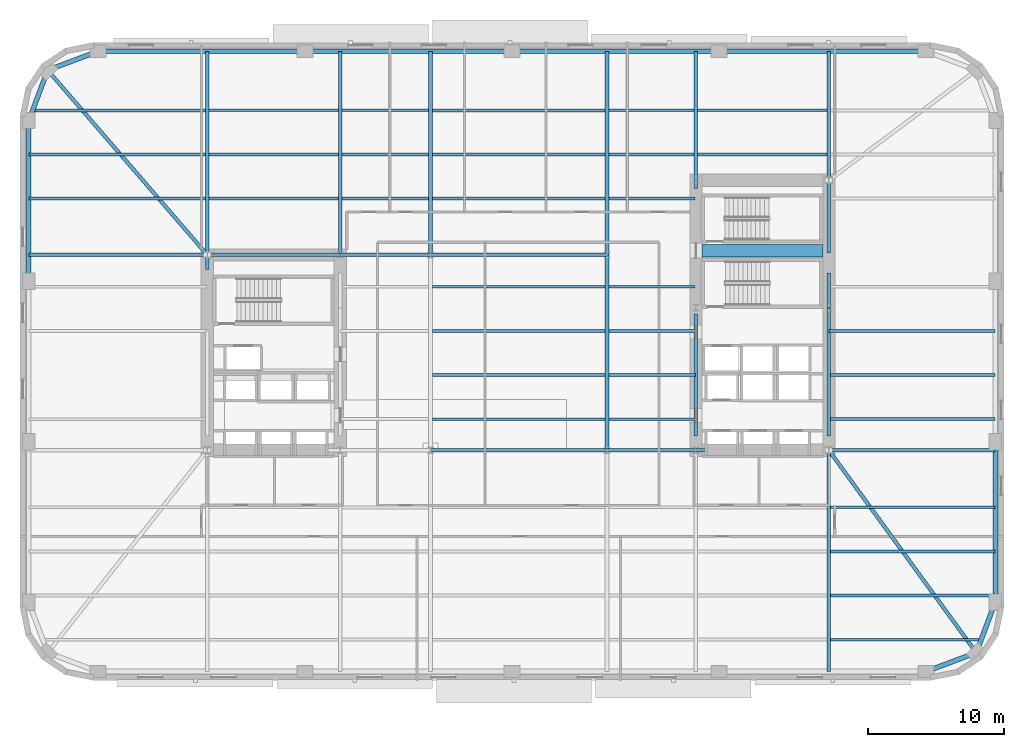
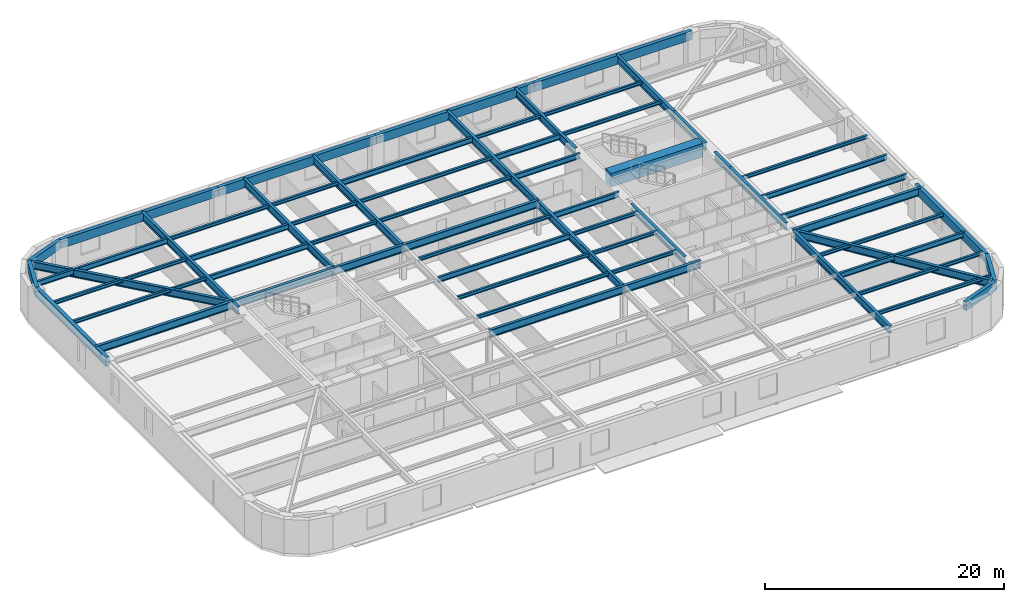
# One storey, part 2 of 14: 64 beams.
"""IFC4 building model written with IfcOpenShell, lengths in metres."""

from ifc_helpers import new_model, si_unit, direction, frame, origin, origin_2d, place, context, subcontext, project, spatial, rectangle, hollow_rectangle, i_section, extrude, material, material_profile, profile_set, type_object, element, save


model = new_model("IFC4")

# Units and contexts
model_context = context("Model", 3, precision=1e-05, world=origin(), true_north=direction((0.0, 1.0)))
body_context = subcontext(model_context, "Body", "Model", "MODEL_VIEW")
ifc_project = project(units=[si_unit("LENGTHUNIT", "METRE"), si_unit("AREAUNIT", "SQUARE_METRE"), si_unit("VOLUMEUNIT", "CUBIC_METRE"), si_unit("PLANEANGLEUNIT", "RADIAN"), si_unit("MASSUNIT", "GRAM", prefix="KILO")], contexts=[model_context])

# Site, building, storey
site_placement = place(None, origin())
site = spatial("IfcSite", under=ifc_project, at=site_placement, CompositionType="ELEMENT")
building_placement = place(site_placement, origin())
building = spatial("IfcBuilding", under=site, at=building_placement, Name="Kolvaren Arena Tower", CompositionType="ELEMENT")
storey_placement = place(building_placement, frame((0.0, 0.0, 53.25)))
storey = spatial("IfcBuildingStorey", under=building, at=storey_placement, Name="L10", CompositionType="ELEMENT", Elevation=53.25)

# Beams
ifc_material_1 = material(Name="Steel CSA G40.21 350W", Category="steel")
ifc_material_profile_1 = material_profile(ifc_material_1, i_section(OverallWidth=0.2119140625, OverallDepth=0.54296875, WebThickness=0.01318359375, FlangeThickness=0.0244140625, FilletRadius=0.013916015625, at=origin_2d()), Name="W530x150")
ifc_profile_set_1 = profile_set([ifc_material_profile_1], Name="Steel CSA G40.21 350W")
beam_type_1 = type_object("IfcBeamType", Name="BEAM-F1", PredefinedType="BEAM", material=ifc_profile_set_1)
beam_1_placement = place(storey_placement, frame((60.485107421875, 12.0, 3.20849609375), z_axis=(1.0, 0.0, 0.0), x_axis=(0.0, 1.0, 0.0)))
element("IfcBeam", 1, at=beam_1_placement, inside=storey, type_object=beam_type_1, Name="Composite Floor Beam (L10)", PredefinedType="BEAM", context=body_context, shape_type="SweptSolid", body=[
    extrude(i_section(OverallWidth=0.2119140625, OverallDepth=0.54296875, WebThickness=0.01318359375, FlangeThickness=0.0244140625, FilletRadius=0.013916015625, at=origin_2d()), origin(), (0.0, 0.0, 1.0), 12.114990234375),
])
for number, where, z_axis, x_axis, name in (
    (2, (60.3701171875, 21.75, 3.20849609375), (1.0, 0.0, 0.0), (0.0, 1.0, 0.0), "Composite Floor Beam (L10)"),
    (3, (60.3701171875, 25.0, 3.20849609375), (1.0, 0.0, 0.0), (0.0, 1.0, 0.0), "Composite Floor Beam (L10)"),
):
    element("IfcBeam", number, at=place(storey_placement, frame(where, z_axis=z_axis, x_axis=x_axis)), inside=storey, type_object=beam_type_1, Name=name, PredefinedType="BEAM", context=body_context, shape_type="SweptSolid", body=[
        extrude(i_section(OverallWidth=0.2119140625, OverallDepth=0.54296875, WebThickness=0.01318359375, FlangeThickness=0.0244140625, FilletRadius=0.013916015625, at=origin_2d()), origin(), (0.0, 0.0, 1.0), 12.22998046875),
    ])
beam_2_placement = place(storey_placement, frame((31.135009765625, 28.25, 3.20849609375), z_axis=(1.0, 0.0, 0.0), x_axis=(0.0, 1.0, 0.0)))
element("IfcBeam", 4, at=beam_2_placement, inside=storey, type_object=beam_type_1, Name="Composite Floor Beam (L10)", PredefinedType="BEAM", context=body_context, shape_type="SweptSolid", body=[
    extrude(i_section(OverallWidth=0.2119140625, OverallDepth=0.54296875, WebThickness=0.01318359375, FlangeThickness=0.0244140625, FilletRadius=0.013916015625, at=origin_2d()), origin(), (0.0, 0.0, 1.0), 12.72998046875),
])
beam_3_placement = place(storey_placement, frame((44.135009765625, 31.5, 3.20849609375), z_axis=(1.0, 0.0, 0.0), x_axis=(0.0, 1.0, 0.0)))
element("IfcBeam", 5, at=beam_3_placement, inside=storey, type_object=beam_type_1, Name="Composite Floor Beam (L10)", PredefinedType="BEAM", context=body_context, shape_type="SweptSolid", body=[
    extrude(i_section(OverallWidth=0.2119140625, OverallDepth=0.54296875, WebThickness=0.01318359375, FlangeThickness=0.0244140625, FilletRadius=0.013916015625, at=origin_2d()), origin(), (0.0, 0.0, 1.0), 6.344970703125),
])
beam_4_placement = place(storey_placement, frame((14.68505859375, 38.0, 3.20849609375), z_axis=(1.0, 0.0, 0.0), x_axis=(0.0, 1.0, 0.0)))
element("IfcBeam", 6, at=beam_4_placement, inside=storey, type_object=beam_type_1, Name="Composite Floor Beam (L10)", PredefinedType="BEAM", context=body_context, shape_type="SweptSolid", body=[
    extrude(i_section(OverallWidth=0.2119140625, OverallDepth=0.54296875, WebThickness=0.01318359375, FlangeThickness=0.0244140625, FilletRadius=0.013916015625, at=origin_2d()), origin(), (0.0, 0.0, 1.0), 9.530029296875),
])
beam_5_placement = place(storey_placement, frame((44.135009765625, 38.0, 3.20849609375), z_axis=(1.0, 0.0, 0.0), x_axis=(0.0, 1.0, 0.0)))
element("IfcBeam", 7, at=beam_5_placement, inside=storey, type_object=beam_type_1, Name="Composite Floor Beam (L10)", PredefinedType="BEAM", context=body_context, shape_type="SweptSolid", body=[
    extrude(i_section(OverallWidth=0.2119140625, OverallDepth=0.54296875, WebThickness=0.01318359375, FlangeThickness=0.0244140625, FilletRadius=0.013916015625, at=origin_2d()), origin(), (0.0, 0.0, 1.0), 6.344970703125),
])
beam_6_placement = place(storey_placement, frame((14.68505859375, 41.25, 3.20849609375), z_axis=(1.0, 0.0, 0.0), x_axis=(0.0, 1.0, 0.0)))
element("IfcBeam", 8, at=beam_6_placement, inside=storey, type_object=beam_type_1, Name="Composite Floor Beam (L10)", PredefinedType="BEAM", context=body_context, shape_type="SweptSolid", body=[
    extrude(i_section(OverallWidth=0.2119140625, OverallDepth=0.54296875, WebThickness=0.01318359375, FlangeThickness=0.0244140625, FilletRadius=0.013916015625, at=origin_2d()), origin(), (0.0, 0.0, 1.0), 9.530029296875),
])
beam_7_placement = place(storey_placement, frame((44.135009765625, 41.25, 3.20849609375), z_axis=(1.0, 0.0, 0.0), x_axis=(0.0, 1.0, 0.0)))
element("IfcBeam", 9, at=beam_7_placement, inside=storey, type_object=beam_type_1, Name="Composite Floor Beam (L10)", PredefinedType="BEAM", context=body_context, shape_type="SweptSolid", body=[
    extrude(i_section(OverallWidth=0.2119140625, OverallDepth=0.54296875, WebThickness=0.01318359375, FlangeThickness=0.0244140625, FilletRadius=0.013916015625, at=origin_2d()), origin(), (0.0, 0.0, 1.0), 6.280029296875),
])
beam_8_placement = place(storey_placement, frame((1.681396484375, 44.5, 3.20849609375), z_axis=(1.0, 0.0, 0.0), x_axis=(0.0, 1.0, 0.0)))
element("IfcBeam", 10, at=beam_8_placement, inside=storey, type_object=beam_type_1, Name="Composite Floor Beam (L10)", PredefinedType="BEAM", context=body_context, shape_type="SweptSolid", body=[
    extrude(i_section(OverallWidth=0.2119140625, OverallDepth=0.54296875, WebThickness=0.01318359375, FlangeThickness=0.0244140625, FilletRadius=0.013916015625, at=origin_2d()), origin(), (0.0, 0.0, 1.0), 12.733642578125),
])
beam_9_placement = place(storey_placement, frame((31.135009765625, 44.5, 3.20849609375), z_axis=(1.0, 0.0, 0.0), x_axis=(0.0, 1.0, 0.0)))
element("IfcBeam", 11, at=beam_9_placement, inside=storey, type_object=beam_type_1, Name="Composite Floor Beam (L10)", PredefinedType="BEAM", context=body_context, shape_type="SweptSolid", body=[
    extrude(i_section(OverallWidth=0.2119140625, OverallDepth=0.54296875, WebThickness=0.01318359375, FlangeThickness=0.0244140625, FilletRadius=0.013916015625, at=origin_2d()), origin(), (0.0, 0.0, 1.0), 12.72998046875),
])
ifc_material_2 = material(Name="Concrete 75 MPa", Category="concrete")
ifc_material_profile_2 = material_profile(ifc_material_2, rectangle(XDim=0.89990234375, YDim=1.39990234375, at=origin_2d()), Name="RC-900x1400")
ifc_profile_set_2 = profile_set([ifc_material_profile_2], Name="Concrete 75 MPa")
beam_type_2 = type_object("IfcBeamType", Name="CB-CORE-1", PredefinedType="BEAM", material=ifc_profile_set_2)
beam_10_placement = place(storey_placement, frame((51.0, 34.14990234375, 3.050048828125), z_axis=(1.0, 0.0, 0.0), x_axis=(0.0, 1.0, 0.0)))
element("IfcBeam", 12, at=beam_10_placement, inside=storey, type_object=beam_type_2, Name="East Core Coupling Beam (L10)", PredefinedType="BEAM", context=body_context, shape_type="SweptSolid", body=[
    extrude(rectangle(XDim=0.89990234375, YDim=1.39990234375, at=origin_2d()), origin(), (0.0, 0.0, 1.0), 8.89990234375),
])
ifc_material_profile_3 = material_profile(ifc_material_1, i_section(OverallWidth=0.27001953125, OverallDepth=0.77294921875, WebThickness=0.019287109375, FlangeThickness=0.033447265625, FilletRadius=0.01806640625, at=origin_2d()), Name="W760x257")
ifc_profile_set_3 = profile_set([ifc_material_profile_3], Name="Steel CSA G40.21 350W")
beam_type_3 = type_object("IfcBeamType", Name="GIRD-T1", PredefinedType="BEAM", material=ifc_profile_set_3)
beam_11_placement = place(storey_placement, frame((71.208740234375, 4.541259765625, 3.093505859375), z_axis=(-0.588737448901, 0.80832432616, 0.0), x_axis=(-0.80832432616, -0.588737448901, 0.0)))
element("IfcBeam", 13, at=beam_11_placement, inside=storey, type_object=beam_type_3, Name="Corner Diagonal Tie Girder (L10)", PredefinedType="BEAM", context=body_context, shape_type="SweptSolid", body=[
    extrude(i_section(OverallWidth=0.27001953125, OverallDepth=0.77294921875, WebThickness=0.019287109375, FlangeThickness=0.033447265625, FilletRadius=0.01806640625, at=origin_2d()), origin(), (0.0, 0.0, 1.0), 18.44384765625),
])
beam_12_placement = place(storey_placement, frame((2.791259765625, 47.458740234375, 3.093505859375), z_axis=(0.653806810332, -0.756661519283, 0.0), x_axis=(0.756661519283, 0.653806810332, 0.0)))
element("IfcBeam", 14, at=beam_12_placement, inside=storey, type_object=beam_type_3, Name="Corner Diagonal Tie Girder (L10)", PredefinedType="BEAM", context=body_context, shape_type="SweptSolid", body=[
    extrude(i_section(OverallWidth=0.27001953125, OverallDepth=0.77294921875, WebThickness=0.019287109375, FlangeThickness=0.033447265625, FilletRadius=0.01806640625, at=origin_2d()), origin(), (0.0, 0.0, 1.0), 17.985107421875),
])
beam_13_placement = place(storey_placement, frame((31.0, 19.449951171875, 3.093505859375), z_axis=(1.0, 0.0, 0.0), x_axis=(0.0, 1.0, 0.0)))
element("IfcBeam", 15, at=beam_13_placement, inside=storey, type_object=beam_type_3, Name="Primary Floor Girder (L10)", PredefinedType="BEAM", context=body_context, shape_type="SweptSolid", body=[
    extrude(i_section(OverallWidth=0.27001953125, OverallDepth=0.77294921875, WebThickness=0.019287109375, FlangeThickness=0.033447265625, FilletRadius=0.01806640625, at=origin_2d()), origin(), (0.0, 0.0, 1.0), 13.0),
])
beam_14_placement = place(storey_placement, frame((44.0, 19.449951171875, 3.093505859375), z_axis=(1.0, 0.0, 0.0), x_axis=(0.0, 1.0, 0.0)))
element("IfcBeam", 16, at=beam_14_placement, inside=storey, type_object=beam_type_3, Name="Primary Floor Girder (L10)", PredefinedType="BEAM", context=body_context, shape_type="SweptSolid", body=[
    extrude(i_section(OverallWidth=0.27001953125, OverallDepth=0.77294921875, WebThickness=0.019287109375, FlangeThickness=0.033447265625, FilletRadius=0.01806640625, at=origin_2d()), origin(), (0.0, 0.0, 1.0), 7.4150390625),
])
beam_15_placement = place(storey_placement, frame((60.35009765625, 19.449951171875, 3.093505859375), z_axis=(1.0, 0.0, 0.0), x_axis=(0.0, 1.0, 0.0)))
element("IfcBeam", 17, at=beam_15_placement, inside=storey, type_object=beam_type_3, Name="Primary Floor Girder (L10)", PredefinedType="BEAM", context=body_context, shape_type="SweptSolid", body=[
    extrude(i_section(OverallWidth=0.27001953125, OverallDepth=0.77294921875, WebThickness=0.019287109375, FlangeThickness=0.033447265625, FilletRadius=0.01806640625, at=origin_2d()), origin(), (0.0, 0.0, 1.0), 12.25),
])
beam_16_placement = place(storey_placement, frame((1.39990234375, 33.85009765625, 3.093505859375), z_axis=(1.0, 0.0, 0.0), x_axis=(0.0, 1.0, 0.0)))
element("IfcBeam", 18, at=beam_16_placement, inside=storey, type_object=beam_type_3, Name="Primary Floor Girder (L10)", PredefinedType="BEAM", context=body_context, shape_type="SweptSolid", body=[
    extrude(i_section(OverallWidth=0.27001953125, OverallDepth=0.77294921875, WebThickness=0.019287109375, FlangeThickness=0.033447265625, FilletRadius=0.01806640625, at=origin_2d()), origin(), (0.0, 0.0, 1.0), 13.150146484375),
])
beam_17_placement = place(storey_placement, frame((14.550048828125, 33.85009765625, 3.093505859375), z_axis=(1.0, 0.0, 0.0), x_axis=(0.0, 1.0, 0.0)))
element("IfcBeam", 19, at=beam_17_placement, inside=storey, type_object=beam_type_3, Name="Primary Floor Girder (L10)", PredefinedType="BEAM", context=body_context, shape_type="SweptSolid", body=[
    extrude(i_section(OverallWidth=0.27001953125, OverallDepth=0.77294921875, WebThickness=0.019287109375, FlangeThickness=0.033447265625, FilletRadius=0.01806640625, at=origin_2d()), origin(), (0.0, 0.0, 1.0), 9.800048828125),
])
beam_18_placement = place(storey_placement, frame((24.35009765625, 33.85009765625, 3.093505859375), z_axis=(1.0, 0.0, 0.0), x_axis=(0.0, 1.0, 0.0)))
element("IfcBeam", 20, at=beam_18_placement, inside=storey, type_object=beam_type_3, Name="Primary Floor Girder (L10)", PredefinedType="BEAM", context=body_context, shape_type="SweptSolid", body=[
    extrude(i_section(OverallWidth=0.27001953125, OverallDepth=0.77294921875, WebThickness=0.019287109375, FlangeThickness=0.033447265625, FilletRadius=0.01806640625, at=origin_2d()), origin(), (0.0, 0.0, 1.0), 6.64990234375),
])
beam_19_placement = place(storey_placement, frame((31.0, 33.85009765625, 3.093505859375), z_axis=(1.0, 0.0, 0.0), x_axis=(0.0, 1.0, 0.0)))
element("IfcBeam", 21, at=beam_19_placement, inside=storey, type_object=beam_type_3, Name="Primary Floor Girder (L10)", PredefinedType="BEAM", context=body_context, shape_type="SweptSolid", body=[
    extrude(i_section(OverallWidth=0.27001953125, OverallDepth=0.77294921875, WebThickness=0.019287109375, FlangeThickness=0.033447265625, FilletRadius=0.01806640625, at=origin_2d()), origin(), (0.0, 0.0, 1.0), 13.0),
])
beam_20_placement = place(storey_placement, frame((14.550048828125, 32.7900390625, 3.093505859375), z_axis=(0.0, 1.0, 0.0), x_axis=(-1.0, 0.0, 0.0)))
element("IfcBeam", 22, at=beam_20_placement, inside=storey, type_object=beam_type_3, Name="Primary Floor Girder (L10)", PredefinedType="BEAM", context=body_context, shape_type="SweptSolid", body=[
    extrude(i_section(OverallWidth=0.27001953125, OverallDepth=0.77294921875, WebThickness=0.019287109375, FlangeThickness=0.033447265625, FilletRadius=0.01806640625, at=origin_2d()), origin(), (0.0, 0.0, 1.0), 16.06005859375),
])
for number, where, z_axis, x_axis, name in (
    (23, (24.35009765625, 33.85009765625, 3.093505859375), (0.0, 1.0, 0.0), (-1.0, 0.0, 0.0), "Primary Floor Girder (L10)"),
    (24, (31.0, 33.85009765625, 3.093505859375), (0.0, 1.0, 0.0), (-1.0, 0.0, 0.0), "Primary Floor Girder (L10)"),
):
    element("IfcBeam", number, at=place(storey_placement, frame(where, z_axis=z_axis, x_axis=x_axis)), inside=storey, type_object=beam_type_3, Name=name, PredefinedType="BEAM", context=body_context, shape_type="SweptSolid", body=[
        extrude(i_section(OverallWidth=0.27001953125, OverallDepth=0.77294921875, WebThickness=0.019287109375, FlangeThickness=0.033447265625, FilletRadius=0.01806640625, at=origin_2d()), origin(), (0.0, 0.0, 1.0), 15.0),
    ])
beam_21_placement = place(storey_placement, frame((44.0, 19.449951171875, 3.093505859375), z_axis=(0.0, 1.0, 0.0), x_axis=(-1.0, 0.0, 0.0)))
element("IfcBeam", 25, at=beam_21_placement, inside=storey, type_object=beam_type_3, Name="Primary Floor Girder (L10)", PredefinedType="BEAM", context=body_context, shape_type="SweptSolid", body=[
    extrude(i_section(OverallWidth=0.27001953125, OverallDepth=0.77294921875, WebThickness=0.019287109375, FlangeThickness=0.033447265625, FilletRadius=0.01806640625, at=origin_2d()), origin(), (0.0, 0.0, 1.0), 14.400146484375),
])
beam_22_placement = place(storey_placement, frame((44.0, 33.85009765625, 3.093505859375), z_axis=(0.0, 1.0, 0.0), x_axis=(-1.0, 0.0, 0.0)))
element("IfcBeam", 26, at=beam_22_placement, inside=storey, type_object=beam_type_3, Name="Primary Floor Girder (L10)", PredefinedType="BEAM", context=body_context, shape_type="SweptSolid", body=[
    extrude(i_section(OverallWidth=0.27001953125, OverallDepth=0.77294921875, WebThickness=0.019287109375, FlangeThickness=0.033447265625, FilletRadius=0.01806640625, at=origin_2d()), origin(), (0.0, 0.0, 1.0), 15.0),
])
beam_23_placement = place(storey_placement, frame((50.550048828125, 20.5, 3.093505859375), z_axis=(0.0, 1.0, 0.0), x_axis=(-1.0, 0.0, 0.0)))
element("IfcBeam", 27, at=beam_23_placement, inside=storey, type_object=beam_type_3, Name="Primary Floor Girder (L10)", PredefinedType="BEAM", context=body_context, shape_type="SweptSolid", body=[
    extrude(i_section(OverallWidth=0.27001953125, OverallDepth=0.77294921875, WebThickness=0.019287109375, FlangeThickness=0.033447265625, FilletRadius=0.01806640625, at=origin_2d()), origin(), (0.0, 0.0, 1.0), 8.989990234375),
])
beam_24_placement = place(storey_placement, frame((50.550048828125, 38.760009765625, 3.093505859375), z_axis=(0.0, 1.0, 0.0), x_axis=(-1.0, 0.0, 0.0)))
element("IfcBeam", 28, at=beam_24_placement, inside=storey, type_object=beam_type_3, Name="Primary Floor Girder (L10)", PredefinedType="BEAM", context=body_context, shape_type="SweptSolid", body=[
    extrude(i_section(OverallWidth=0.27001953125, OverallDepth=0.77294921875, WebThickness=0.019287109375, FlangeThickness=0.033447265625, FilletRadius=0.01806640625, at=origin_2d()), origin(), (0.0, 0.0, 1.0), 10.090087890625),
])
beam_25_placement = place(storey_placement, frame((60.35009765625, 3.14990234375, 3.093505859375), z_axis=(0.0, 1.0, 0.0), x_axis=(-1.0, 0.0, 0.0)))
element("IfcBeam", 29, at=beam_25_placement, inside=storey, type_object=beam_type_3, Name="Primary Floor Girder (L10)", PredefinedType="BEAM", context=body_context, shape_type="SweptSolid", body=[
    extrude(i_section(OverallWidth=0.27001953125, OverallDepth=0.77294921875, WebThickness=0.019287109375, FlangeThickness=0.033447265625, FilletRadius=0.01806640625, at=origin_2d()), origin(), (0.0, 0.0, 1.0), 16.300048828125),
])
beam_26_placement = place(storey_placement, frame((60.35009765625, 20.5, 3.093505859375), z_axis=(0.0, 1.0, 0.0), x_axis=(-1.0, 0.0, 0.0)))
element("IfcBeam", 30, at=beam_26_placement, inside=storey, type_object=beam_type_3, Name="Primary Floor Girder (L10)", PredefinedType="BEAM", context=body_context, shape_type="SweptSolid", body=[
    extrude(i_section(OverallWidth=0.27001953125, OverallDepth=0.77294921875, WebThickness=0.019287109375, FlangeThickness=0.033447265625, FilletRadius=0.01806640625, at=origin_2d()), origin(), (0.0, 0.0, 1.0), 9.449951171875),
])
beam_27_placement = place(storey_placement, frame((60.35009765625, 29.949951171875, 3.093505859375), z_axis=(0.0, 1.0, 0.0), x_axis=(-1.0, 0.0, 0.0)))
element("IfcBeam", 31, at=beam_27_placement, inside=storey, type_object=beam_type_3, Name="Primary Floor Girder (L10)", PredefinedType="BEAM", context=body_context, shape_type="SweptSolid", body=[
    extrude(i_section(OverallWidth=0.27001953125, OverallDepth=0.77294921875, WebThickness=0.019287109375, FlangeThickness=0.033447265625, FilletRadius=0.01806640625, at=origin_2d()), origin(), (0.0, 0.0, 1.0), 2.550048828125),
])
beam_28_placement = place(storey_placement, frame((60.35009765625, 33.985107421875, 3.093505859375), z_axis=(0.0, 1.0, 0.0), x_axis=(-1.0, 0.0, 0.0)))
element("IfcBeam", 32, at=beam_28_placement, inside=storey, type_object=beam_type_3, Name="Primary Floor Girder (L10)", PredefinedType="BEAM", context=body_context, shape_type="SweptSolid", body=[
    extrude(i_section(OverallWidth=0.27001953125, OverallDepth=0.77294921875, WebThickness=0.019287109375, FlangeThickness=0.033447265625, FilletRadius=0.01806640625, at=origin_2d()), origin(), (0.0, 0.0, 1.0), 5.364990234375),
])
beam_29_placement = place(storey_placement, frame((60.35009765625, 39.35009765625, 3.093505859375), z_axis=(0.0, 1.0, 0.0), x_axis=(-1.0, 0.0, 0.0)))
element("IfcBeam", 33, at=beam_29_placement, inside=storey, type_object=beam_type_3, Name="Primary Floor Girder (L10)", PredefinedType="BEAM", context=body_context, shape_type="SweptSolid", body=[
    extrude(i_section(OverallWidth=0.27001953125, OverallDepth=0.77294921875, WebThickness=0.019287109375, FlangeThickness=0.033447265625, FilletRadius=0.01806640625, at=origin_2d()), origin(), (0.0, 0.0, 1.0), 9.5),
])
ifc_material_profile_4 = material_profile(ifc_material_1, i_section(OverallWidth=0.202880859375, OverallDepth=0.346923828125, WebThickness=0.0078125, FlangeThickness=0.013427734375, FilletRadius=0.010986328125, at=origin_2d()), Name="W360x64")
ifc_profile_set_4 = profile_set([ifc_material_profile_4], Name="Steel CSA G40.21 350W")
beam_type_4 = type_object("IfcBeamType", Name="JOIST-01", PredefinedType="JOIST", material=ifc_profile_set_4)
beam_30_placement = place(storey_placement, frame((60.485107421875, 5.5, 3.306396484375), z_axis=(1.0, 0.0, 0.0), x_axis=(0.0, 1.0, 0.0)))
element("IfcBeam", 34, at=beam_30_placement, inside=storey, type_object=beam_type_4, Name="Composite Floor Joist (L10)", PredefinedType="JOIST", context=body_context, shape_type="SweptSolid", body=[
    extrude(i_section(OverallWidth=0.202880859375, OverallDepth=0.346923828125, WebThickness=0.0078125, FlangeThickness=0.013427734375, FilletRadius=0.010986328125, at=origin_2d()), origin(), (0.0, 0.0, 1.0), 11.08349609375),
])
for number, where, z_axis, x_axis, name in (
    (35, (60.485107421875, 8.75, 3.306396484375), (1.0, 0.0, 0.0), (0.0, 1.0, 0.0), "Composite Floor Joist (L10)"),
    (36, (60.485107421875, 15.25, 3.306396484375), (1.0, 0.0, 0.0), (0.0, 1.0, 0.0), "Composite Floor Joist (L10)"),
):
    element("IfcBeam", number, at=place(storey_placement, frame(where, z_axis=z_axis, x_axis=x_axis)), inside=storey, type_object=beam_type_4, Name=name, PredefinedType="JOIST", context=body_context, shape_type="SweptSolid", body=[
        extrude(i_section(OverallWidth=0.202880859375, OverallDepth=0.346923828125, WebThickness=0.0078125, FlangeThickness=0.013427734375, FilletRadius=0.010986328125, at=origin_2d()), origin(), (0.0, 0.0, 1.0), 12.114990234375),
    ])
beam_31_placement = place(storey_placement, frame((31.135009765625, 21.75, 3.306396484375), z_axis=(1.0, 0.0, 0.0), x_axis=(0.0, 1.0, 0.0)))
element("IfcBeam", 37, at=beam_31_placement, inside=storey, type_object=beam_type_4, Name="Composite Floor Joist (L10)", PredefinedType="JOIST", context=body_context, shape_type="SweptSolid", body=[
    extrude(i_section(OverallWidth=0.202880859375, OverallDepth=0.346923828125, WebThickness=0.0078125, FlangeThickness=0.013427734375, FilletRadius=0.010986328125, at=origin_2d()), origin(), (0.0, 0.0, 1.0), 12.72998046875),
])
beam_32_placement = place(storey_placement, frame((44.135009765625, 21.75, 3.306396484375), z_axis=(1.0, 0.0, 0.0), x_axis=(0.0, 1.0, 0.0)))
element("IfcBeam", 38, at=beam_32_placement, inside=storey, type_object=beam_type_4, Name="Composite Floor Joist (L10)", PredefinedType="JOIST", context=body_context, shape_type="SweptSolid", body=[
    extrude(i_section(OverallWidth=0.202880859375, OverallDepth=0.346923828125, WebThickness=0.0078125, FlangeThickness=0.013427734375, FilletRadius=0.010986328125, at=origin_2d()), origin(), (0.0, 0.0, 1.0), 6.39501953125),
])
beam_33_placement = place(storey_placement, frame((31.135009765625, 25.0, 3.306396484375), z_axis=(1.0, 0.0, 0.0), x_axis=(0.0, 1.0, 0.0)))
element("IfcBeam", 39, at=beam_33_placement, inside=storey, type_object=beam_type_4, Name="Composite Floor Joist (L10)", PredefinedType="JOIST", context=body_context, shape_type="SweptSolid", body=[
    extrude(i_section(OverallWidth=0.202880859375, OverallDepth=0.346923828125, WebThickness=0.0078125, FlangeThickness=0.013427734375, FilletRadius=0.010986328125, at=origin_2d()), origin(), (0.0, 0.0, 1.0), 12.72998046875),
])
for number, where, z_axis, x_axis, name in (
    (40, (44.135009765625, 25.0, 3.306396484375), (1.0, 0.0, 0.0), (0.0, 1.0, 0.0), "Composite Floor Joist (L10)"),
    (41, (44.135009765625, 28.25, 3.306396484375), (1.0, 0.0, 0.0), (0.0, 1.0, 0.0), "Composite Floor Joist (L10)"),
):
    element("IfcBeam", number, at=place(storey_placement, frame(where, z_axis=z_axis, x_axis=x_axis)), inside=storey, type_object=beam_type_4, Name=name, PredefinedType="JOIST", context=body_context, shape_type="SweptSolid", body=[
        extrude(i_section(OverallWidth=0.202880859375, OverallDepth=0.346923828125, WebThickness=0.0078125, FlangeThickness=0.013427734375, FilletRadius=0.010986328125, at=origin_2d()), origin(), (0.0, 0.0, 1.0), 6.39501953125),
    ])
beam_34_placement = place(storey_placement, frame((60.3701171875, 28.25, 3.306396484375), z_axis=(1.0, 0.0, 0.0), x_axis=(0.0, 1.0, 0.0)))
element("IfcBeam", 42, at=beam_34_placement, inside=storey, type_object=beam_type_4, Name="Composite Floor Joist (L10)", PredefinedType="JOIST", context=body_context, shape_type="SweptSolid", body=[
    extrude(i_section(OverallWidth=0.202880859375, OverallDepth=0.346923828125, WebThickness=0.0078125, FlangeThickness=0.013427734375, FilletRadius=0.010986328125, at=origin_2d()), origin(), (0.0, 0.0, 1.0), 12.22998046875),
])
beam_35_placement = place(storey_placement, frame((31.135009765625, 31.5, 3.306396484375), z_axis=(1.0, 0.0, 0.0), x_axis=(0.0, 1.0, 0.0)))
element("IfcBeam", 43, at=beam_35_placement, inside=storey, type_object=beam_type_4, Name="Composite Floor Joist (L10)", PredefinedType="JOIST", context=body_context, shape_type="SweptSolid", body=[
    extrude(i_section(OverallWidth=0.202880859375, OverallDepth=0.346923828125, WebThickness=0.0078125, FlangeThickness=0.013427734375, FilletRadius=0.010986328125, at=origin_2d()), origin(), (0.0, 0.0, 1.0), 12.72998046875),
])
beam_36_placement = place(storey_placement, frame((1.39990234375, 38.0, 3.306396484375), z_axis=(1.0, 0.0, 0.0), x_axis=(0.0, 1.0, 0.0)))
element("IfcBeam", 44, at=beam_36_placement, inside=storey, type_object=beam_type_4, Name="Composite Floor Joist (L10)", PredefinedType="JOIST", context=body_context, shape_type="SweptSolid", body=[
    extrude(i_section(OverallWidth=0.202880859375, OverallDepth=0.346923828125, WebThickness=0.0078125, FlangeThickness=0.013427734375, FilletRadius=0.010986328125, at=origin_2d()), origin(), (0.0, 0.0, 1.0), 13.01513671875),
])
beam_37_placement = place(storey_placement, frame((24.485107421875, 38.0, 3.306396484375), z_axis=(1.0, 0.0, 0.0), x_axis=(0.0, 1.0, 0.0)))
element("IfcBeam", 45, at=beam_37_placement, inside=storey, type_object=beam_type_4, Name="Composite Floor Joist (L10)", PredefinedType="JOIST", context=body_context, shape_type="SweptSolid", body=[
    extrude(i_section(OverallWidth=0.202880859375, OverallDepth=0.346923828125, WebThickness=0.0078125, FlangeThickness=0.013427734375, FilletRadius=0.010986328125, at=origin_2d()), origin(), (0.0, 0.0, 1.0), 6.3798828125),
])
beam_38_placement = place(storey_placement, frame((31.135009765625, 38.0, 3.306396484375), z_axis=(1.0, 0.0, 0.0), x_axis=(0.0, 1.0, 0.0)))
element("IfcBeam", 46, at=beam_38_placement, inside=storey, type_object=beam_type_4, Name="Composite Floor Joist (L10)", PredefinedType="JOIST", context=body_context, shape_type="SweptSolid", body=[
    extrude(i_section(OverallWidth=0.202880859375, OverallDepth=0.346923828125, WebThickness=0.0078125, FlangeThickness=0.013427734375, FilletRadius=0.010986328125, at=origin_2d()), origin(), (0.0, 0.0, 1.0), 12.72998046875),
])
beam_39_placement = place(storey_placement, frame((1.39990234375, 41.25, 3.306396484375), z_axis=(1.0, 0.0, 0.0), x_axis=(0.0, 1.0, 0.0)))
element("IfcBeam", 47, at=beam_39_placement, inside=storey, type_object=beam_type_4, Name="Composite Floor Joist (L10)", PredefinedType="JOIST", context=body_context, shape_type="SweptSolid", body=[
    extrude(i_section(OverallWidth=0.202880859375, OverallDepth=0.346923828125, WebThickness=0.0078125, FlangeThickness=0.013427734375, FilletRadius=0.010986328125, at=origin_2d()), origin(), (0.0, 0.0, 1.0), 13.01513671875),
])
beam_40_placement = place(storey_placement, frame((24.485107421875, 41.25, 3.306396484375), z_axis=(1.0, 0.0, 0.0), x_axis=(0.0, 1.0, 0.0)))
element("IfcBeam", 48, at=beam_40_placement, inside=storey, type_object=beam_type_4, Name="Composite Floor Joist (L10)", PredefinedType="JOIST", context=body_context, shape_type="SweptSolid", body=[
    extrude(i_section(OverallWidth=0.202880859375, OverallDepth=0.346923828125, WebThickness=0.0078125, FlangeThickness=0.013427734375, FilletRadius=0.010986328125, at=origin_2d()), origin(), (0.0, 0.0, 1.0), 6.3798828125),
])
beam_41_placement = place(storey_placement, frame((31.135009765625, 41.25, 3.306396484375), z_axis=(1.0, 0.0, 0.0), x_axis=(0.0, 1.0, 0.0)))
element("IfcBeam", 49, at=beam_41_placement, inside=storey, type_object=beam_type_4, Name="Composite Floor Joist (L10)", PredefinedType="JOIST", context=body_context, shape_type="SweptSolid", body=[
    extrude(i_section(OverallWidth=0.202880859375, OverallDepth=0.346923828125, WebThickness=0.0078125, FlangeThickness=0.013427734375, FilletRadius=0.010986328125, at=origin_2d()), origin(), (0.0, 0.0, 1.0), 12.72998046875),
])
for number, where, z_axis, x_axis, name in (
    (50, (50.68505859375, 41.25, 3.306396484375), (1.0, 0.0, 0.0), (0.0, 1.0, 0.0), "Composite Floor Joist (L10)"),
    (51, (14.68505859375, 44.5, 3.306396484375), (1.0, 0.0, 0.0), (0.0, 1.0, 0.0), "Composite Floor Joist (L10)"),
):
    element("IfcBeam", number, at=place(storey_placement, frame(where, z_axis=z_axis, x_axis=x_axis)), inside=storey, type_object=beam_type_4, Name=name, PredefinedType="JOIST", context=body_context, shape_type="SweptSolid", body=[
        extrude(i_section(OverallWidth=0.202880859375, OverallDepth=0.346923828125, WebThickness=0.0078125, FlangeThickness=0.013427734375, FilletRadius=0.010986328125, at=origin_2d()), origin(), (0.0, 0.0, 1.0), 9.530029296875),
    ])
beam_42_placement = place(storey_placement, frame((24.485107421875, 44.5, 3.306396484375), z_axis=(1.0, 0.0, 0.0), x_axis=(0.0, 1.0, 0.0)))
element("IfcBeam", 52, at=beam_42_placement, inside=storey, type_object=beam_type_4, Name="Composite Floor Joist (L10)", PredefinedType="JOIST", context=body_context, shape_type="SweptSolid", body=[
    extrude(i_section(OverallWidth=0.202880859375, OverallDepth=0.346923828125, WebThickness=0.0078125, FlangeThickness=0.013427734375, FilletRadius=0.010986328125, at=origin_2d()), origin(), (0.0, 0.0, 1.0), 6.3798828125),
])
beam_43_placement = place(storey_placement, frame((44.135009765625, 44.5, 3.306396484375), z_axis=(1.0, 0.0, 0.0), x_axis=(0.0, 1.0, 0.0)))
element("IfcBeam", 53, at=beam_43_placement, inside=storey, type_object=beam_type_4, Name="Composite Floor Joist (L10)", PredefinedType="JOIST", context=body_context, shape_type="SweptSolid", body=[
    extrude(i_section(OverallWidth=0.202880859375, OverallDepth=0.346923828125, WebThickness=0.0078125, FlangeThickness=0.013427734375, FilletRadius=0.010986328125, at=origin_2d()), origin(), (0.0, 0.0, 1.0), 6.280029296875),
])
beam_44_placement = place(storey_placement, frame((50.68505859375, 44.5, 3.306396484375), z_axis=(1.0, 0.0, 0.0), x_axis=(0.0, 1.0, 0.0)))
element("IfcBeam", 54, at=beam_44_placement, inside=storey, type_object=beam_type_4, Name="Composite Floor Joist (L10)", PredefinedType="JOIST", context=body_context, shape_type="SweptSolid", body=[
    extrude(i_section(OverallWidth=0.202880859375, OverallDepth=0.346923828125, WebThickness=0.0078125, FlangeThickness=0.013427734375, FilletRadius=0.010986328125, at=origin_2d()), origin(), (0.0, 0.0, 1.0), 9.530029296875),
])
ifc_material_3 = material(Name="Steel CSA G40.21 350WT", Category="steel")
ifc_material_profile_5 = material_profile(ifc_material_3, hollow_rectangle(XDim=0.35009765625, YDim=0.89990234375, WallThickness=0.02001953125, at=origin_2d()), Name="HSS 900x350x20")
ifc_profile_set_5 = profile_set([ifc_material_profile_5], Name="Steel CSA G40.21 350WT")
beam_type_5 = type_object("IfcBeamType", Name="SPAND-01", PredefinedType="SPANDREL", material=ifc_profile_set_5)
for number, where, z_axis, x_axis, name in (
    (55, (67.5, 3.14990234375, 3.030029296875), (0.93628104365, 0.351251771955, 0.0), (-0.351251771955, 0.93628104365, 0.0), "Perimeter Spandrel Beam (L10)"),
    (56, (71.208740234375, 4.541259765625, 3.030029296875), (0.351251771955, 0.93628104365, 0.0), (-0.93628104365, 0.351251771955, 0.0), "Perimeter Spandrel Beam (L10)"),
):
    element("IfcBeam", number, at=place(storey_placement, frame(where, z_axis=z_axis, x_axis=x_axis)), inside=storey, type_object=beam_type_5, Name=name, PredefinedType="SPANDREL", context=body_context, shape_type="SweptSolid", body=[
        extrude(hollow_rectangle(XDim=0.35009765625, YDim=0.89990234375, WallThickness=0.02001953125, at=origin_2d()), origin(), (0.0, 0.0, 1.0), 3.961181640625),
    ])
beam_45_placement = place(storey_placement, frame((72.60009765625, 8.25, 3.030029296875), z_axis=(0.0, 1.0, 0.0), x_axis=(-1.0, 0.0, 0.0)))
element("IfcBeam", 57, at=beam_45_placement, inside=storey, type_object=beam_type_5, Name="Perimeter Spandrel Beam (L10)", PredefinedType="SPANDREL", context=body_context, shape_type="SweptSolid", body=[
    extrude(hollow_rectangle(XDim=0.35009765625, YDim=0.89990234375, WallThickness=0.02001953125, at=origin_2d()), origin(), (0.0, 0.0, 1.0), 11.833251953125),
])
for number, where, z_axis, x_axis, name in (
    (58, (67.5, 48.85009765625, 3.030029296875), (-1.0, 0.0, 0.0), (0.0, -1.0, 0.0), "Perimeter Spandrel Beam (L10)"),
    (59, (52.25, 48.85009765625, 3.030029296875), (-1.0, 0.0, 0.0), (0.0, -1.0, 0.0), "Perimeter Spandrel Beam (L10)"),
    (60, (37.0, 48.85009765625, 3.030029296875), (-1.0, 0.0, 0.0), (0.0, -1.0, 0.0), "Perimeter Spandrel Beam (L10)"),
    (61, (21.75, 48.85009765625, 3.030029296875), (-1.0, 0.0, 0.0), (0.0, -1.0, 0.0), "Perimeter Spandrel Beam (L10)"),
):
    element("IfcBeam", number, at=place(storey_placement, frame(where, z_axis=z_axis, x_axis=x_axis)), inside=storey, type_object=beam_type_5, Name=name, PredefinedType="SPANDREL", context=body_context, shape_type="SweptSolid", body=[
        extrude(hollow_rectangle(XDim=0.35009765625, YDim=0.89990234375, WallThickness=0.02001953125, at=origin_2d()), origin(), (0.0, 0.0, 1.0), 15.25),
    ])
for number, where, z_axis, x_axis, name in (
    (62, (6.5, 48.85009765625, 3.030029296875), (-0.93628104365, -0.351251771955, 0.0), (0.351251771955, -0.93628104365, 0.0), "Perimeter Spandrel Beam (L10)"),
    (63, (2.791259765625, 47.458740234375, 3.030029296875), (-0.351251771955, -0.93628104365, 0.0), (0.93628104365, -0.351251771955, 0.0), "Perimeter Spandrel Beam (L10)"),
):
    element("IfcBeam", number, at=place(storey_placement, frame(where, z_axis=z_axis, x_axis=x_axis)), inside=storey, type_object=beam_type_5, Name=name, PredefinedType="SPANDREL", context=body_context, shape_type="SweptSolid", body=[
        extrude(hollow_rectangle(XDim=0.35009765625, YDim=0.89990234375, WallThickness=0.02001953125, at=origin_2d()), origin(), (0.0, 0.0, 1.0), 3.961181640625),
    ])
beam_46_placement = place(storey_placement, frame((1.39990234375, 43.75, 3.030029296875), z_axis=(0.0, -1.0, 0.0), x_axis=(1.0, 0.0, 0.0)))
element("IfcBeam", 64, at=beam_46_placement, inside=storey, type_object=beam_type_5, Name="Perimeter Spandrel Beam (L10)", PredefinedType="SPANDREL", context=body_context, shape_type="SweptSolid", body=[
    extrude(hollow_rectangle(XDim=0.35009765625, YDim=0.89990234375, WallThickness=0.02001953125, at=origin_2d()), origin(), (0.0, 0.0, 1.0), 11.833251953125),
])

save(model, "model.ifc")
